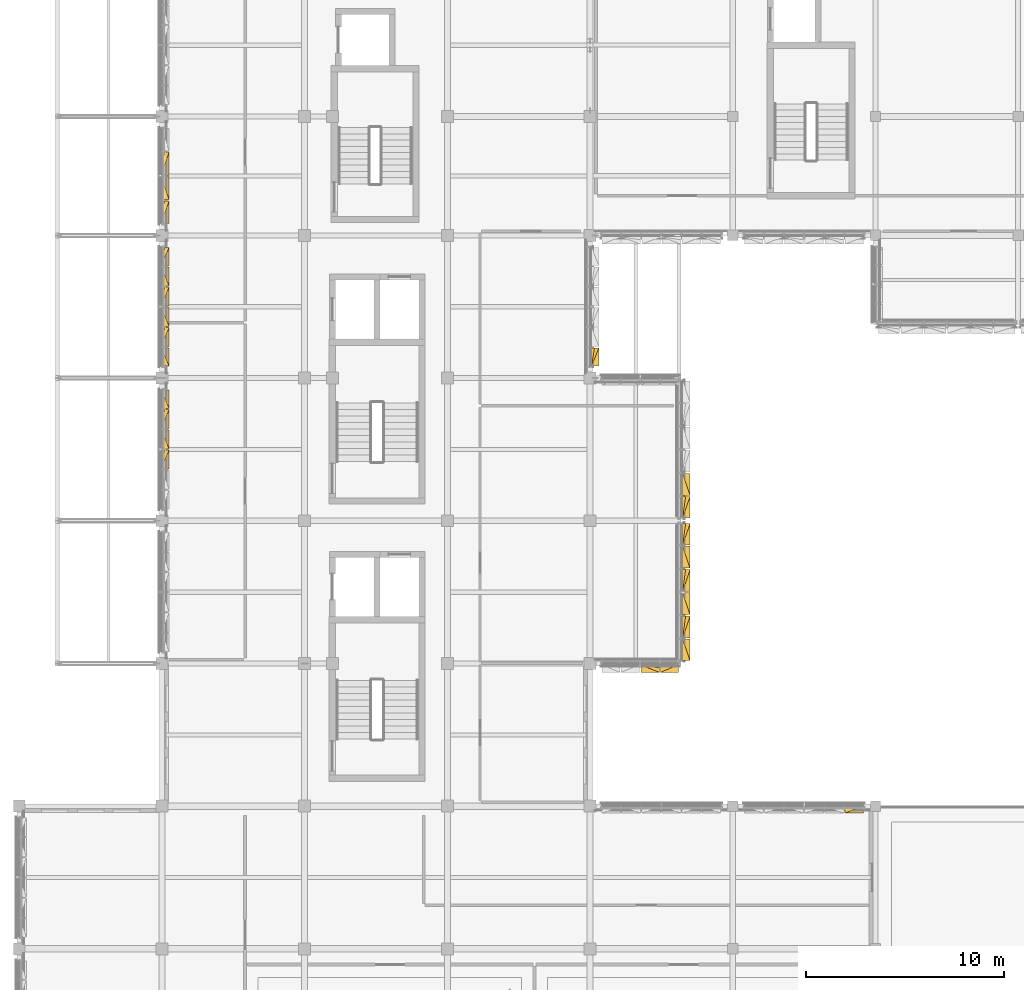
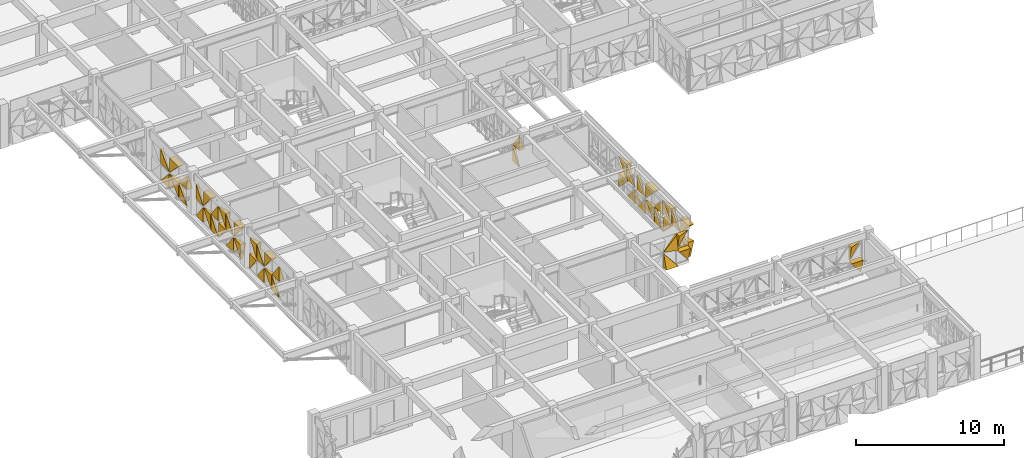
# One storey, part 89 of 99: 50 coverings.
"""IFC4 building model written with IfcOpenShell, lengths in metres."""

from ifc_helpers import new_model, si_unit, direction, frame, origin, place, context, subcontext, project, spatial, polygons, material, layer, layer_set, type_object, element, save


model = new_model("IFC4")

# Units and contexts
model_context = context("Model", 3, precision=1e-05, world=origin(), true_north=direction((0.0, 1.0)))
body_context = subcontext(model_context, "Body", "Model", "MODEL_VIEW")
ifc_project = project(units=[si_unit("LENGTHUNIT", "METRE"), si_unit("AREAUNIT", "SQUARE_METRE"), si_unit("VOLUMEUNIT", "CUBIC_METRE"), si_unit("PLANEANGLEUNIT", "RADIAN"), si_unit("MASSUNIT", "GRAM", prefix="KILO")], contexts=[model_context])

# Site, building, storey
site_placement = place(None, origin())
site = spatial("IfcSite", under=ifc_project, at=site_placement, CompositionType="ELEMENT")
building_placement = place(site_placement, origin())
building = spatial("IfcBuilding", under=site, at=building_placement, Name="Alvorim Cloister Faculty of Sciences", CompositionType="ELEMENT")
storey_placement = place(building_placement, frame((0.0, 0.0, 12.14990234375)))
storey = spatial("IfcBuildingStorey", under=building, at=storey_placement, Name="L03", CompositionType="ELEMENT", Elevation=12.14990234375)

# Coverings
ifc_material = material(Name="Perforated Bronze Alloy Sheet", Category="metal")
ifc_layer = layer(ifc_material, 0.0380859375)
ifc_layer_set = layer_set([ifc_layer], Name="Perforated Bronze Alloy Sheet")
covering_type = type_object("IfcCoveringType", Name="COV-TRI-BRZ", PredefinedType="CLADDING", material=ifc_layer_set)
covering_1_placement = place(storey_placement, frame((7.155029296875, 31.41259765625, 0.14013671875), z_axis=(0.0, 0.0, 1.0), x_axis=(0.0, 1.0, 0.0)))
element("IfcCovering", 1, at=covering_1_placement, inside=storey, type_object=covering_type, Name="Diagonal Solid Metal Triangle TRI-BR", PredefinedType="CLADDING", context=body_context, shape_type="Tessellation", body=[
    polygons([(0.002, 0.0260009765625, 0.0), (0.955078125, 0.0260009765625, 0.0), (0.955078125, 0.0260009765625, 1.21284375), (0.002, -0.03, 0.0), (0.955078125, -0.4, 0.0), (0.955078125, -0.18000000000000002, 1.21284375)], [[[1, 3, 2]], [[4, 5, 6]], [[1, 2, 5, 4]], [[2, 3, 6, 5]], [[3, 1, 4, 6]]], closed=True),
])
covering_2_placement = place(storey_placement, frame((7.155029296875, 31.41259765625, 1.4951171875), z_axis=(0.0, 0.0, 1.0), x_axis=(0.0, 1.0, 0.0)))
element("IfcCovering", 2, at=covering_2_placement, inside=storey, type_object=covering_type, Name="Diagonal Solid Metal Triangle TRI-BL", PredefinedType="CLADDING", context=body_context, shape_type="Tessellation", body=[
    polygons([(0.0, 0.0260009765625, 0.0), (0.953078125, 0.0260009765625, 0.0), (0.0, 0.0260009765625, 1.213087890625), (0.0, -0.4, 0.0), (0.953078125, -0.4, 0.0), (0.0, -0.03, 1.213087890625)], [[[1, 3, 2]], [[4, 5, 6]], [[1, 2, 5, 4]], [[2, 3, 6, 5]], [[3, 1, 4, 6]]], closed=True),
])
covering_3_placement = place(storey_placement, frame((7.155029296875, 32.4326171875, 0.14013671875), z_axis=(0.0, 0.0, 1.0), x_axis=(0.0, 1.0, 0.0)))
element("IfcCovering", 3, at=covering_3_placement, inside=storey, type_object=covering_type, Name="Diagonal Solid Metal Triangle TRI-TL", PredefinedType="CLADDING", context=body_context, shape_type="Tessellation", body=[
    polygons([(0.953078125, 0.0260009765625, 1.21484375), (0.0, 0.0260009765625, 1.21484375), (0.0, 0.0260009765625, 0.002), (0.953078125, -0.03, 1.21484375), (0.0, -0.4, 1.21484375), (0.0, -0.13999999999999999, 0.002)], [[[1, 3, 2]], [[4, 5, 6]], [[1, 2, 5, 4]], [[2, 3, 6, 5]], [[3, 1, 4, 6]]], closed=True),
])
covering_4_placement = place(storey_placement, frame((7.155029296875, 32.4326171875, 1.4951171875), z_axis=(0.0, 0.0, 1.0), x_axis=(0.0, 1.0, 0.0)))
element("IfcCovering", 4, at=covering_4_placement, inside=storey, type_object=covering_type, Name="Diagonal Solid Metal Triangle TRI-TR", PredefinedType="CLADDING", context=body_context, shape_type="Tessellation", body=[
    polygons([(0.955078125, 0.0260009765625, 0.002), (0.955078125, 0.0260009765625, 1.215087890625), (0.002, 0.0260009765625, 1.215087890625), (0.955078125, -0.03, 0.002), (0.955078125, -0.4, 1.215087890625), (0.002, -0.4, 1.215087890625)], [[[1, 3, 2]], [[4, 5, 6]], [[1, 2, 5, 4]], [[2, 3, 6, 5]], [[3, 1, 4, 6]]], closed=True),
])
covering_5_placement = place(storey_placement, frame((7.155029296875, 33.452392578125, 0.14013671875), z_axis=(0.0, 0.0, 1.0), x_axis=(0.0, 1.0, 0.0)))
element("IfcCovering", 5, at=covering_5_placement, inside=storey, type_object=covering_type, Name="Diagonal Solid Metal Triangle TRI-BL", PredefinedType="CLADDING", context=body_context, shape_type="Tessellation", body=[
    polygons([(0.0, 0.0260009765625, 0.0), (0.953078125, 0.0260009765625, 0.0), (0.0, 0.0260009765625, 1.21284375), (0.0, -0.4, 0.0), (0.953078125, -0.4, 0.0), (0.0, -0.03, 1.21284375)], [[[1, 3, 2]], [[4, 5, 6]], [[1, 2, 5, 4]], [[2, 3, 6, 5]], [[3, 1, 4, 6]]], closed=True),
])
covering_6_placement = place(storey_placement, frame((7.155029296875, 33.452392578125, 1.4951171875), z_axis=(0.0, 0.0, 1.0), x_axis=(0.0, 1.0, 0.0)))
element("IfcCovering", 6, at=covering_6_placement, inside=storey, type_object=covering_type, Name="Diagonal Solid Metal Triangle TRI-BR", PredefinedType="CLADDING", context=body_context, shape_type="Tessellation", body=[
    polygons([(0.002, 0.0260009765625, 0.0), (0.955078125, 0.0260009765625, 0.0), (0.955078125, 0.0260009765625, 1.213087890625), (0.002, -0.03, 0.0), (0.955078125, -0.4, 0.0), (0.955078125, -0.18000000000000002, 1.213087890625)], [[[1, 3, 2]], [[4, 5, 6]], [[1, 2, 5, 4]], [[2, 3, 6, 5]], [[3, 1, 4, 6]]], closed=True),
])
covering_7_placement = place(storey_placement, frame((7.155029296875, 34.472412109375, 0.14013671875), z_axis=(0.0, 0.0, 1.0), x_axis=(0.0, 1.0, 0.0)))
element("IfcCovering", 7, at=covering_7_placement, inside=storey, type_object=covering_type, Name="Diagonal Solid Metal Triangle TRI-TR", PredefinedType="CLADDING", context=body_context, shape_type="Tessellation", body=[
    polygons([(0.922607421875, 0.0260009765625, 0.002), (0.922607421875, 0.0260009765625, 1.21484375), (0.002, 0.0260009765625, 1.21484375), (0.922607421875, -0.03, 0.002), (0.922607421875, -0.4, 1.21484375), (0.002, -0.4, 1.21484375)], [[[1, 3, 2]], [[4, 5, 6]], [[1, 2, 5, 4]], [[2, 3, 6, 5]], [[3, 1, 4, 6]]], closed=True),
])
covering_8_placement = place(storey_placement, frame((7.155029296875, 34.472412109375, 1.4951171875), z_axis=(0.0, 0.0, 1.0), x_axis=(0.0, 1.0, 0.0)))
element("IfcCovering", 8, at=covering_8_placement, inside=storey, type_object=covering_type, Name="Diagonal Solid Metal Triangle TRI-TL", PredefinedType="CLADDING", context=body_context, shape_type="Tessellation", body=[
    polygons([(0.920607421875, 0.0260009765625, 1.215087890625), (0.0, 0.0260009765625, 1.215087890625), (0.0, 0.0260009765625, 0.002), (0.920607421875, -0.03, 1.215087890625), (0.0, -0.4, 1.215087890625), (0.0, -0.13999999999999999, 0.002)], [[[1, 3, 2]], [[4, 5, 6]], [[1, 2, 5, 4]], [[2, 3, 6, 5]], [[3, 1, 4, 6]]], closed=True),
])
covering_9_placement = place(storey_placement, frame((7.155029296875, 36.60498046875, 0.14013671875), z_axis=(0.0, 0.0, 1.0), x_axis=(0.0, 1.0, 0.0)))
element("IfcCovering", 9, at=covering_9_placement, inside=storey, type_object=covering_type, Name="Diagonal Solid Metal Triangle TRI-TL", PredefinedType="CLADDING", context=body_context, shape_type="Tessellation", body=[
    polygons([(0.920607421875, 0.0260009765625, 1.21484375), (0.0, 0.0260009765625, 1.21484375), (0.0, 0.0260009765625, 0.002), (0.920607421875, -0.03, 1.21484375), (0.0, -0.4, 1.21484375), (0.0, -0.13999999999999999, 0.002)], [[[1, 3, 2]], [[4, 5, 6]], [[1, 2, 5, 4]], [[2, 3, 6, 5]], [[3, 1, 4, 6]]], closed=True),
])
covering_10_placement = place(storey_placement, frame((7.155029296875, 36.60498046875, 1.4951171875), z_axis=(0.0, 0.0, 1.0), x_axis=(0.0, 1.0, 0.0)))
element("IfcCovering", 10, at=covering_10_placement, inside=storey, type_object=covering_type, Name="Diagonal Solid Metal Triangle TRI-TR", PredefinedType="CLADDING", context=body_context, shape_type="Tessellation", body=[
    polygons([(0.922607421875, 0.0260009765625, 0.002), (0.922607421875, 0.0260009765625, 1.215087890625), (0.002, 0.0260009765625, 1.215087890625), (0.922607421875, -0.03, 0.002), (0.922607421875, -0.4, 1.215087890625), (0.002, -0.4, 1.215087890625)], [[[1, 3, 2]], [[4, 5, 6]], [[1, 2, 5, 4]], [[2, 3, 6, 5]], [[3, 1, 4, 6]]], closed=True),
])
covering_11_placement = place(storey_placement, frame((7.155029296875, 37.592529296875, 0.14013671875), z_axis=(0.0, 0.0, 1.0), x_axis=(0.0, 1.0, 0.0)))
element("IfcCovering", 11, at=covering_11_placement, inside=storey, type_object=covering_type, Name="Diagonal Solid Metal Triangle TRI-BL", PredefinedType="CLADDING", context=body_context, shape_type="Tessellation", body=[
    polygons([(0.0, 0.0260009765625, 0.0), (0.953078125, 0.0260009765625, 0.0), (0.0, 0.0260009765625, 1.21284375), (0.0, -0.4, 0.0), (0.953078125, -0.4, 0.0), (0.0, -0.03, 1.21284375)], [[[1, 3, 2]], [[4, 5, 6]], [[1, 2, 5, 4]], [[2, 3, 6, 5]], [[3, 1, 4, 6]]], closed=True),
])
covering_12_placement = place(storey_placement, frame((7.155029296875, 37.592529296875, 1.4951171875), z_axis=(0.0, 0.0, 1.0), x_axis=(0.0, 1.0, 0.0)))
element("IfcCovering", 12, at=covering_12_placement, inside=storey, type_object=covering_type, Name="Diagonal Solid Metal Triangle TRI-BR", PredefinedType="CLADDING", context=body_context, shape_type="Tessellation", body=[
    polygons([(0.002, 0.0260009765625, 0.0), (0.955078125, 0.0260009765625, 0.0), (0.955078125, 0.0260009765625, 1.213087890625), (0.002, -0.03, 0.0), (0.955078125, -0.4, 0.0), (0.955078125, -0.18000000000000002, 1.213087890625)], [[[1, 3, 2]], [[4, 5, 6]], [[1, 2, 5, 4]], [[2, 3, 6, 5]], [[3, 1, 4, 6]]], closed=True),
])
covering_13_placement = place(storey_placement, frame((7.155029296875, 38.612548828125, 0.14013671875), z_axis=(0.0, 0.0, 1.0), x_axis=(0.0, 1.0, 0.0)))
element("IfcCovering", 13, at=covering_13_placement, inside=storey, type_object=covering_type, Name="Diagonal Solid Metal Triangle TRI-TR", PredefinedType="CLADDING", context=body_context, shape_type="Tessellation", body=[
    polygons([(0.955078125, 0.0260009765625, 0.002), (0.955078125, 0.0260009765625, 1.21484375), (0.002, 0.0260009765625, 1.21484375), (0.955078125, -0.03, 0.002), (0.955078125, -0.4, 1.21484375), (0.002, -0.4, 1.21484375)], [[[1, 3, 2]], [[4, 5, 6]], [[1, 2, 5, 4]], [[2, 3, 6, 5]], [[3, 1, 4, 6]]], closed=True),
])
covering_14_placement = place(storey_placement, frame((7.155029296875, 38.612548828125, 1.4951171875), z_axis=(0.0, 0.0, 1.0), x_axis=(0.0, 1.0, 0.0)))
element("IfcCovering", 14, at=covering_14_placement, inside=storey, type_object=covering_type, Name="Diagonal Solid Metal Triangle TRI-TL", PredefinedType="CLADDING", context=body_context, shape_type="Tessellation", body=[
    polygons([(0.953078125, 0.0260009765625, 1.215087890625), (0.0, 0.0260009765625, 1.215087890625), (0.0, 0.0260009765625, 0.002), (0.953078125, -0.03, 1.215087890625), (0.0, -0.4, 1.215087890625), (0.0, -0.13999999999999999, 0.002)], [[[1, 3, 2]], [[4, 5, 6]], [[1, 2, 5, 4]], [[2, 3, 6, 5]], [[3, 1, 4, 6]]], closed=True),
])
covering_15_placement = place(storey_placement, frame((7.155029296875, 39.632568359375, 0.14013671875), z_axis=(0.0, 0.0, 1.0), x_axis=(0.0, 1.0, 0.0)))
element("IfcCovering", 15, at=covering_15_placement, inside=storey, type_object=covering_type, Name="Diagonal Solid Metal Triangle TRI-BR", PredefinedType="CLADDING", context=body_context, shape_type="Tessellation", body=[
    polygons([(0.002, 0.0260009765625, 0.0), (0.955078125, 0.0260009765625, 0.0), (0.955078125, 0.0260009765625, 1.21284375), (0.002, -0.03, 0.0), (0.955078125, -0.4, 0.0), (0.955078125, -0.18000000000000002, 1.21284375)], [[[1, 3, 2]], [[4, 5, 6]], [[1, 2, 5, 4]], [[2, 3, 6, 5]], [[3, 1, 4, 6]]], closed=True),
])
covering_16_placement = place(storey_placement, frame((7.155029296875, 39.632568359375, 1.4951171875), z_axis=(0.0, 0.0, 1.0), x_axis=(0.0, 1.0, 0.0)))
element("IfcCovering", 16, at=covering_16_placement, inside=storey, type_object=covering_type, Name="Diagonal Solid Metal Triangle TRI-BL", PredefinedType="CLADDING", context=body_context, shape_type="Tessellation", body=[
    polygons([(0.0, 0.0260009765625, 0.0), (0.953078125, 0.0260009765625, 0.0), (0.0, 0.0260009765625, 1.213087890625), (0.0, -0.4, 0.0), (0.953078125, -0.4, 0.0), (0.0, -0.03, 1.213087890625)], [[[1, 3, 2]], [[4, 5, 6]], [[1, 2, 5, 4]], [[2, 3, 6, 5]], [[3, 1, 4, 6]]], closed=True),
])
covering_17_placement = place(storey_placement, frame((7.155029296875, 40.652587890625, 0.14013671875), z_axis=(0.0, 0.0, 1.0), x_axis=(0.0, 1.0, 0.0)))
element("IfcCovering", 17, at=covering_17_placement, inside=storey, type_object=covering_type, Name="Diagonal Solid Metal Triangle TRI-TL", PredefinedType="CLADDING", context=body_context, shape_type="Tessellation", body=[
    polygons([(0.953078125, 0.0260009765625, 1.21484375), (0.0, 0.0260009765625, 1.21484375), (0.0, 0.0260009765625, 0.002), (0.953078125, -0.03, 1.21484375), (0.0, -0.4, 1.21484375), (0.0, -0.13999999999999999, 0.002)], [[[1, 3, 2]], [[4, 5, 6]], [[1, 2, 5, 4]], [[2, 3, 6, 5]], [[3, 1, 4, 6]]], closed=True),
])
covering_18_placement = place(storey_placement, frame((7.155029296875, 40.652587890625, 1.4951171875), z_axis=(0.0, 0.0, 1.0), x_axis=(0.0, 1.0, 0.0)))
element("IfcCovering", 18, at=covering_18_placement, inside=storey, type_object=covering_type, Name="Diagonal Solid Metal Triangle TRI-TR", PredefinedType="CLADDING", context=body_context, shape_type="Tessellation", body=[
    polygons([(0.955078125, 0.0260009765625, 0.002), (0.955078125, 0.0260009765625, 1.215087890625), (0.002, 0.0260009765625, 1.215087890625), (0.955078125, -0.03, 0.002), (0.955078125, -0.4, 1.215087890625), (0.002, -0.4, 1.215087890625)], [[[1, 3, 2]], [[4, 5, 6]], [[1, 2, 5, 4]], [[2, 3, 6, 5]], [[3, 1, 4, 6]]], closed=True),
])
covering_19_placement = place(storey_placement, frame((7.155029296875, 41.672607421875, 0.14013671875), z_axis=(0.0, 0.0, 1.0), x_axis=(0.0, 1.0, 0.0)))
element("IfcCovering", 19, at=covering_19_placement, inside=storey, type_object=covering_type, Name="Diagonal Solid Metal Triangle TRI-BL", PredefinedType="CLADDING", context=body_context, shape_type="Tessellation", body=[
    polygons([(0.0, 0.0260009765625, 0.0), (0.920607421875, 0.0260009765625, 0.0), (0.0, 0.0260009765625, 1.21284375), (0.0, -0.4, 0.0), (0.920607421875, -0.4, 0.0), (0.0, -0.03, 1.21284375)], [[[1, 3, 2]], [[4, 5, 6]], [[1, 2, 5, 4]], [[2, 3, 6, 5]], [[3, 1, 4, 6]]], closed=True),
])
covering_20_placement = place(storey_placement, frame((7.155029296875, 41.672607421875, 1.4951171875), z_axis=(0.0, 0.0, 1.0), x_axis=(0.0, 1.0, 0.0)))
element("IfcCovering", 20, at=covering_20_placement, inside=storey, type_object=covering_type, Name="Diagonal Solid Metal Triangle TRI-BR", PredefinedType="CLADDING", context=body_context, shape_type="Tessellation", body=[
    polygons([(0.002, 0.0260009765625, 0.0), (0.922607421875, 0.0260009765625, 0.0), (0.922607421875, 0.0260009765625, 1.213087890625), (0.002, -0.03, 0.0), (0.922607421875, -0.4, 0.0), (0.922607421875, -0.18000000000000002, 1.213087890625)], [[[1, 3, 2]], [[4, 5, 6]], [[1, 2, 5, 4]], [[2, 3, 6, 5]], [[3, 1, 4, 6]]], closed=True),
])
covering_21_placement = place(storey_placement, frame((7.155029296875, 43.804931640625, 0.14013671875), z_axis=(0.0, 0.0, 1.0), x_axis=(0.0, 1.0, 0.0)))
element("IfcCovering", 21, at=covering_21_placement, inside=storey, type_object=covering_type, Name="Diagonal Solid Metal Triangle TRI-BR", PredefinedType="CLADDING", context=body_context, shape_type="Tessellation", body=[
    polygons([(0.002, 0.0260009765625, 0.0), (1.132568359375, 0.0260009765625, 0.0), (1.132568359375, 0.0260009765625, 1.21284375), (0.002, -0.03, 0.0), (1.132568359375, -0.4, 0.0), (1.132568359375, -0.18000000000000002, 1.21284375)], [[[1, 3, 2]], [[4, 5, 6]], [[1, 2, 5, 4]], [[2, 3, 6, 5]], [[3, 1, 4, 6]]], closed=True),
])
covering_22_placement = place(storey_placement, frame((7.155029296875, 43.804931640625, 1.4951171875), z_axis=(0.0, 0.0, 1.0), x_axis=(0.0, 1.0, 0.0)))
element("IfcCovering", 22, at=covering_22_placement, inside=storey, type_object=covering_type, Name="Diagonal Solid Metal Triangle TRI-BL", PredefinedType="CLADDING", context=body_context, shape_type="Tessellation", body=[
    polygons([(0.0, 0.0260009765625, 0.0), (1.130568359375, 0.0260009765625, 0.0), (0.0, 0.0260009765625, 1.213087890625), (0.0, -0.4, 0.0), (1.130568359375, -0.4, 0.0), (0.0, -0.03, 1.213087890625)], [[[1, 3, 2]], [[4, 5, 6]], [[1, 2, 5, 4]], [[2, 3, 6, 5]], [[3, 1, 4, 6]]], closed=True),
])
covering_23_placement = place(storey_placement, frame((7.155029296875, 45.00244140625, 0.14013671875), z_axis=(0.0, 0.0, 1.0), x_axis=(0.0, 1.0, 0.0)))
element("IfcCovering", 23, at=covering_23_placement, inside=storey, type_object=covering_type, Name="Diagonal Solid Metal Triangle TRI-TL", PredefinedType="CLADDING", context=body_context, shape_type="Tessellation", body=[
    polygons([(1.1630390625, 0.0260009765625, 1.21484375), (0.0, 0.0260009765625, 1.21484375), (0.0, 0.0260009765625, 0.002), (1.1630390625, -0.03, 1.21484375), (0.0, -0.4, 1.21484375), (0.0, -0.13999999999999999, 0.002)], [[[1, 3, 2]], [[4, 5, 6]], [[1, 2, 5, 4]], [[2, 3, 6, 5]], [[3, 1, 4, 6]]], closed=True),
])
covering_24_placement = place(storey_placement, frame((7.155029296875, 45.00244140625, 1.4951171875), z_axis=(0.0, 0.0, 1.0), x_axis=(0.0, 1.0, 0.0)))
element("IfcCovering", 24, at=covering_24_placement, inside=storey, type_object=covering_type, Name="Diagonal Solid Metal Triangle TRI-TR", PredefinedType="CLADDING", context=body_context, shape_type="Tessellation", body=[
    polygons([(1.1650390625, 0.0260009765625, 0.002), (1.1650390625, 0.0260009765625, 1.215087890625), (0.002, 0.0260009765625, 1.215087890625), (1.1650390625, -0.03, 0.002), (1.1650390625, -0.4, 1.215087890625), (0.002, -0.4, 1.215087890625)], [[[1, 3, 2]], [[4, 5, 6]], [[1, 2, 5, 4]], [[2, 3, 6, 5]], [[3, 1, 4, 6]]], closed=True),
])
covering_25_placement = place(storey_placement, frame((7.155029296875, 46.232421875, 0.14013671875), z_axis=(0.0, 0.0, 1.0), x_axis=(0.0, 1.0, 0.0)))
element("IfcCovering", 25, at=covering_25_placement, inside=storey, type_object=covering_type, Name="Diagonal Solid Metal Triangle TRI-BL", PredefinedType="CLADDING", context=body_context, shape_type="Tessellation", body=[
    polygons([(0.0, 0.0260009765625, 0.0), (1.1630390625, 0.0260009765625, 0.0), (0.0, 0.0260009765625, 1.21284375), (0.0, -0.4, 0.0), (1.1630390625, -0.4, 0.0), (0.0, -0.03, 1.21284375)], [[[1, 3, 2]], [[4, 5, 6]], [[1, 2, 5, 4]], [[2, 3, 6, 5]], [[3, 1, 4, 6]]], closed=True),
])
covering_26_placement = place(storey_placement, frame((7.155029296875, 46.232421875, 1.4951171875), z_axis=(0.0, 0.0, 1.0), x_axis=(0.0, 1.0, 0.0)))
element("IfcCovering", 26, at=covering_26_placement, inside=storey, type_object=covering_type, Name="Diagonal Solid Metal Triangle TRI-BR", PredefinedType="CLADDING", context=body_context, shape_type="Tessellation", body=[
    polygons([(0.002, 0.0260009765625, 0.0), (1.1650390625, 0.0260009765625, 0.0), (1.1650390625, 0.0260009765625, 1.213087890625), (0.002, -0.03, 0.0), (1.1650390625, -0.4, 0.0), (1.1650390625, -0.18000000000000002, 1.213087890625)], [[[1, 3, 2]], [[4, 5, 6]], [[1, 2, 5, 4]], [[2, 3, 6, 5]], [[3, 1, 4, 6]]], closed=True),
])
covering_27_placement = place(storey_placement, frame((28.844970703125, 36.60498046875, 0.14013671875), z_axis=(0.0, 0.0, 1.0), x_axis=(0.0, 1.0, 0.0)))
element("IfcCovering", 27, at=covering_27_placement, inside=storey, type_object=covering_type, Name="Diagonal Solid Metal Triangle TRI-BR", PredefinedType="CLADDING", context=body_context, shape_type="Tessellation", body=[
    polygons([(0.002, 0.0260009765625, 0.0), (0.922607421875, 0.0260009765625, 0.0), (0.922607421875, 0.0260009765625, 1.21284375), (0.002, -0.03, 0.0), (0.922607421875, -0.4, 0.0), (0.922607421875, -0.18000000000000002, 1.21284375)], [[[1, 3, 2]], [[4, 5, 6]], [[1, 2, 5, 4]], [[2, 3, 6, 5]], [[3, 1, 4, 6]]], closed=True),
])
covering_28_placement = place(storey_placement, frame((28.844970703125, 36.60498046875, 1.4951171875), z_axis=(0.0, 0.0, 1.0), x_axis=(0.0, 1.0, 0.0)))
element("IfcCovering", 28, at=covering_28_placement, inside=storey, type_object=covering_type, Name="Diagonal Solid Metal Triangle TRI-BL", PredefinedType="CLADDING", context=body_context, shape_type="Tessellation", body=[
    polygons([(0.0, 0.0260009765625, 0.0), (0.920607421875, 0.0260009765625, 0.0), (0.0, 0.0260009765625, 1.213087890625), (0.0, -0.4, 0.0), (0.920607421875, -0.4, 0.0), (0.0, -0.03, 1.213087890625)], [[[1, 3, 2]], [[4, 5, 6]], [[1, 2, 5, 4]], [[2, 3, 6, 5]], [[3, 1, 4, 6]]], closed=True),
])
covering_29_placement = place(storey_placement, frame((33.445068359375, 28.945068359375, 0.14013671875), z_axis=(0.0, 0.0, 1.0), x_axis=(0.0, 1.0, 0.0)))
element("IfcCovering", 29, at=covering_29_placement, inside=storey, type_object=covering_type, Name="Diagonal Solid Metal Triangle TRI-BL", PredefinedType="CLADDING", context=body_context, shape_type="Tessellation", body=[
    polygons([(0.0, 0.0260009765625, 0.0), (1.073927734375, 0.0260009765625, 0.0), (0.0, 0.0260009765625, 1.216505859375), (0.0, -0.4, 0.0), (1.073927734375, -0.4, 0.0), (0.0, -0.03, 1.216505859375)], [[[1, 3, 2]], [[4, 5, 6]], [[1, 2, 5, 4]], [[2, 3, 6, 5]], [[3, 1, 4, 6]]], closed=True),
])
covering_30_placement = place(storey_placement, frame((33.445068359375, 28.945068359375, 1.49853515625), z_axis=(0.0, 0.0, 1.0), x_axis=(0.0, 1.0, 0.0)))
element("IfcCovering", 30, at=covering_30_placement, inside=storey, type_object=covering_type, Name="Diagonal Solid Metal Triangle TRI-BR", PredefinedType="CLADDING", context=body_context, shape_type="Tessellation", body=[
    polygons([(0.002, 0.0260009765625, 0.0), (1.075927734375, 0.0260009765625, 0.0), (1.075927734375, 0.0260009765625, 1.216505859375), (0.002, -0.03, 0.0), (1.075927734375, -0.4, 0.0), (1.075927734375, -0.18000000000000002, 1.216505859375)], [[[1, 3, 2]], [[4, 5, 6]], [[1, 2, 5, 4]], [[2, 3, 6, 5]], [[3, 1, 4, 6]]], closed=True),
])
covering_31_placement = place(storey_placement, frame((33.445068359375, 30.0859375, 0.14013671875), z_axis=(0.0, 0.0, 1.0), x_axis=(0.0, 1.0, 0.0)))
element("IfcCovering", 31, at=covering_31_placement, inside=storey, type_object=covering_type, Name="Diagonal Solid Metal Triangle TRI-TR", PredefinedType="CLADDING", context=body_context, shape_type="Tessellation", body=[
    polygons([(1.1083984375, 0.0260009765625, 0.002), (1.1083984375, 0.0260009765625, 1.218505859375), (0.002, 0.0260009765625, 1.218505859375), (1.1083984375, -0.03, 0.002), (1.1083984375, -0.4, 1.218505859375), (0.002, -0.4, 1.218505859375)], [[[1, 3, 2]], [[4, 5, 6]], [[1, 2, 5, 4]], [[2, 3, 6, 5]], [[3, 1, 4, 6]]], closed=True),
])
covering_32_placement = place(storey_placement, frame((33.445068359375, 30.0859375, 1.49853515625), z_axis=(0.0, 0.0, 1.0), x_axis=(0.0, 1.0, 0.0)))
element("IfcCovering", 32, at=covering_32_placement, inside=storey, type_object=covering_type, Name="Diagonal Solid Metal Triangle TRI-TL", PredefinedType="CLADDING", context=body_context, shape_type="Tessellation", body=[
    polygons([(1.1063984375, 0.0260009765625, 1.218505859375), (0.0, 0.0260009765625, 1.218505859375), (0.0, 0.0260009765625, 0.002), (1.1063984375, -0.03, 1.218505859375), (0.0, -0.4, 1.218505859375), (0.0, -0.13999999999999999, 0.002)], [[[1, 3, 2]], [[4, 5, 6]], [[1, 2, 5, 4]], [[2, 3, 6, 5]], [[3, 1, 4, 6]]], closed=True),
])
covering_33_placement = place(storey_placement, frame((33.445068359375, 21.7451171875, 0.14013671875), z_axis=(0.0, 0.0, 1.0), x_axis=(0.0, 1.0, 0.0)))
element("IfcCovering", 33, at=covering_33_placement, inside=storey, type_object=covering_type, Name="Diagonal Solid Metal Triangle TRI-TL", PredefinedType="CLADDING", context=body_context, shape_type="Tessellation", body=[
    polygons([(1.073927734375, 0.0260009765625, 1.218505859375), (0.0, 0.0260009765625, 1.218505859375), (0.0, 0.0260009765625, 0.002), (1.073927734375, -0.03, 1.218505859375), (0.0, -0.4, 1.218505859375), (0.0, -0.13999999999999999, 0.002)], [[[1, 3, 2]], [[4, 5, 6]], [[1, 2, 5, 4]], [[2, 3, 6, 5]], [[3, 1, 4, 6]]], closed=True),
])
covering_34_placement = place(storey_placement, frame((33.445068359375, 21.7451171875, 1.49853515625), z_axis=(0.0, 0.0, 1.0), x_axis=(0.0, 1.0, 0.0)))
element("IfcCovering", 34, at=covering_34_placement, inside=storey, type_object=covering_type, Name="Diagonal Solid Metal Triangle TRI-TR", PredefinedType="CLADDING", context=body_context, shape_type="Tessellation", body=[
    polygons([(1.075927734375, 0.0260009765625, 0.002), (1.075927734375, 0.0260009765625, 1.218505859375), (0.002, 0.0260009765625, 1.218505859375), (1.075927734375, -0.03, 0.002), (1.075927734375, -0.4, 1.218505859375), (0.002, -0.4, 1.218505859375)], [[[1, 3, 2]], [[4, 5, 6]], [[1, 2, 5, 4]], [[2, 3, 6, 5]], [[3, 1, 4, 6]]], closed=True),
])
covering_35_placement = place(storey_placement, frame((33.445068359375, 22.8857421875, 0.14013671875), z_axis=(0.0, 0.0, 1.0), x_axis=(0.0, 1.0, 0.0)))
element("IfcCovering", 35, at=covering_35_placement, inside=storey, type_object=covering_type, Name="Diagonal Solid Metal Triangle TRI-BL", PredefinedType="CLADDING", context=body_context, shape_type="Tessellation", body=[
    polygons([(0.0, 0.0260009765625, 0.0), (1.1063984375, 0.0260009765625, 0.0), (0.0, 0.0260009765625, 1.216505859375), (0.0, -0.4, 0.0), (1.1063984375, -0.4, 0.0), (0.0, -0.03, 1.216505859375)], [[[1, 3, 2]], [[4, 5, 6]], [[1, 2, 5, 4]], [[2, 3, 6, 5]], [[3, 1, 4, 6]]], closed=True),
])
covering_36_placement = place(storey_placement, frame((33.445068359375, 22.8857421875, 1.49853515625), z_axis=(0.0, 0.0, 1.0), x_axis=(0.0, 1.0, 0.0)))
element("IfcCovering", 36, at=covering_36_placement, inside=storey, type_object=covering_type, Name="Diagonal Solid Metal Triangle TRI-BR", PredefinedType="CLADDING", context=body_context, shape_type="Tessellation", body=[
    polygons([(0.002, 0.0260009765625, 0.0), (1.1083984375, 0.0260009765625, 0.0), (1.1083984375, 0.0260009765625, 1.216505859375), (0.002, -0.03, 0.0), (1.1083984375, -0.4, 0.0), (1.1083984375, -0.18000000000000002, 1.216505859375)], [[[1, 3, 2]], [[4, 5, 6]], [[1, 2, 5, 4]], [[2, 3, 6, 5]], [[3, 1, 4, 6]]], closed=True),
])
covering_37_placement = place(storey_placement, frame((33.445068359375, 24.05908203125, 0.14013671875), z_axis=(0.0, 0.0, 1.0), x_axis=(0.0, 1.0, 0.0)))
element("IfcCovering", 37, at=covering_37_placement, inside=storey, type_object=covering_type, Name="Diagonal Solid Metal Triangle TRI-TR", PredefinedType="CLADDING", context=body_context, shape_type="Tessellation", body=[
    polygons([(1.1083984375, 0.0260009765625, 0.002), (1.1083984375, 0.0260009765625, 1.218505859375), (0.002, 0.0260009765625, 1.218505859375), (1.1083984375, -0.03, 0.002), (1.1083984375, -0.4, 1.218505859375), (0.002, -0.4, 1.218505859375)], [[[1, 3, 2]], [[4, 5, 6]], [[1, 2, 5, 4]], [[2, 3, 6, 5]], [[3, 1, 4, 6]]], closed=True),
])
covering_38_placement = place(storey_placement, frame((33.445068359375, 24.05908203125, 1.49853515625), z_axis=(0.0, 0.0, 1.0), x_axis=(0.0, 1.0, 0.0)))
element("IfcCovering", 38, at=covering_38_placement, inside=storey, type_object=covering_type, Name="Diagonal Solid Metal Triangle TRI-TL", PredefinedType="CLADDING", context=body_context, shape_type="Tessellation", body=[
    polygons([(1.1063984375, 0.0260009765625, 1.218505859375), (0.0, 0.0260009765625, 1.218505859375), (0.0, 0.0260009765625, 0.002), (1.1063984375, -0.03, 1.218505859375), (0.0, -0.4, 1.218505859375), (0.0, -0.13999999999999999, 0.002)], [[[1, 3, 2]], [[4, 5, 6]], [[1, 2, 5, 4]], [[2, 3, 6, 5]], [[3, 1, 4, 6]]], closed=True),
])
covering_39_placement = place(storey_placement, frame((33.445068359375, 25.232421875, 0.14013671875), z_axis=(0.0, 0.0, 1.0), x_axis=(0.0, 1.0, 0.0)))
element("IfcCovering", 39, at=covering_39_placement, inside=storey, type_object=covering_type, Name="Diagonal Solid Metal Triangle TRI-BR", PredefinedType="CLADDING", context=body_context, shape_type="Tessellation", body=[
    polygons([(0.002, 0.0260009765625, 0.0), (1.1083984375, 0.0260009765625, 0.0), (1.1083984375, 0.0260009765625, 1.216505859375), (0.002, -0.03, 0.0), (1.1083984375, -0.4, 0.0), (1.1083984375, -0.18000000000000002, 1.216505859375)], [[[1, 3, 2]], [[4, 5, 6]], [[1, 2, 5, 4]], [[2, 3, 6, 5]], [[3, 1, 4, 6]]], closed=True),
])
covering_40_placement = place(storey_placement, frame((33.445068359375, 25.232421875, 1.49853515625), z_axis=(0.0, 0.0, 1.0), x_axis=(0.0, 1.0, 0.0)))
element("IfcCovering", 40, at=covering_40_placement, inside=storey, type_object=covering_type, Name="Diagonal Solid Metal Triangle TRI-BL", PredefinedType="CLADDING", context=body_context, shape_type="Tessellation", body=[
    polygons([(0.0, 0.0260009765625, 0.0), (1.1063984375, 0.0260009765625, 0.0), (0.0, 0.0260009765625, 1.216505859375), (0.0, -0.4, 0.0), (1.1063984375, -0.4, 0.0), (0.0, -0.03, 1.216505859375)], [[[1, 3, 2]], [[4, 5, 6]], [[1, 2, 5, 4]], [[2, 3, 6, 5]], [[3, 1, 4, 6]]], closed=True),
])
covering_41_placement = place(storey_placement, frame((33.445068359375, 26.40576171875, 0.14013671875), z_axis=(0.0, 0.0, 1.0), x_axis=(0.0, 1.0, 0.0)))
element("IfcCovering", 41, at=covering_41_placement, inside=storey, type_object=covering_type, Name="Diagonal Solid Metal Triangle TRI-TL", PredefinedType="CLADDING", context=body_context, shape_type="Tessellation", body=[
    polygons([(1.1063984375, 0.0260009765625, 1.218505859375), (0.0, 0.0260009765625, 1.218505859375), (0.0, 0.0260009765625, 0.002), (1.1063984375, -0.03, 1.218505859375), (0.0, -0.4, 1.218505859375), (0.0, -0.13999999999999999, 0.002)], [[[1, 3, 2]], [[4, 5, 6]], [[1, 2, 5, 4]], [[2, 3, 6, 5]], [[3, 1, 4, 6]]], closed=True),
])
covering_42_placement = place(storey_placement, frame((33.445068359375, 26.40576171875, 1.49853515625), z_axis=(0.0, 0.0, 1.0), x_axis=(0.0, 1.0, 0.0)))
element("IfcCovering", 42, at=covering_42_placement, inside=storey, type_object=covering_type, Name="Diagonal Solid Metal Triangle TRI-TR", PredefinedType="CLADDING", context=body_context, shape_type="Tessellation", body=[
    polygons([(1.1083984375, 0.0260009765625, 0.002), (1.1083984375, 0.0260009765625, 1.218505859375), (0.002, 0.0260009765625, 1.218505859375), (1.1083984375, -0.03, 0.002), (1.1083984375, -0.4, 1.218505859375), (0.002, -0.4, 1.218505859375)], [[[1, 3, 2]], [[4, 5, 6]], [[1, 2, 5, 4]], [[2, 3, 6, 5]], [[3, 1, 4, 6]]], closed=True),
])
covering_43_placement = place(storey_placement, frame((33.445068359375, 27.5791015625, 0.14013671875), z_axis=(0.0, 0.0, 1.0), x_axis=(0.0, 1.0, 0.0)))
element("IfcCovering", 43, at=covering_43_placement, inside=storey, type_object=covering_type, Name="Diagonal Solid Metal Triangle TRI-BL", PredefinedType="CLADDING", context=body_context, shape_type="Tessellation", body=[
    polygons([(0.0, 0.0260009765625, 0.0), (1.073927734375, 0.0260009765625, 0.0), (0.0, 0.0260009765625, 1.216505859375), (0.0, -0.4, 0.0), (1.073927734375, -0.4, 0.0), (0.0, -0.03, 1.216505859375)], [[[1, 3, 2]], [[4, 5, 6]], [[1, 2, 5, 4]], [[2, 3, 6, 5]], [[3, 1, 4, 6]]], closed=True),
])
covering_44_placement = place(storey_placement, frame((33.445068359375, 27.5791015625, 1.49853515625), z_axis=(0.0, 0.0, 1.0), x_axis=(0.0, 1.0, 0.0)))
element("IfcCovering", 44, at=covering_44_placement, inside=storey, type_object=covering_type, Name="Diagonal Solid Metal Triangle TRI-BR", PredefinedType="CLADDING", context=body_context, shape_type="Tessellation", body=[
    polygons([(0.002, 0.0260009765625, 0.0), (1.075927734375, 0.0260009765625, 0.0), (1.075927734375, 0.0260009765625, 1.216505859375), (0.002, -0.03, 0.0), (1.075927734375, -0.4, 0.0), (1.075927734375, -0.18000000000000002, 1.216505859375)], [[[1, 3, 2]], [[4, 5, 6]], [[1, 2, 5, 4]], [[2, 3, 6, 5]], [[3, 1, 4, 6]]], closed=True),
])
covering_45_placement = place(storey_placement, frame((31.362548828125, 21.554931640625, 0.14013671875), z_axis=(0.0, 0.0, 1.0), x_axis=(1.0, 0.0, 0.0)))
element("IfcCovering", 45, at=covering_45_placement, inside=storey, type_object=covering_type, Name="Diagonal Solid Metal Triangle TRI-BL", PredefinedType="CLADDING", context=body_context, shape_type="Tessellation", body=[
    polygons([(0.0, 0.0260009765625, 0.0), (0.927931640625, 0.0260009765625, 0.0), (0.0, 0.0260009765625, 1.14106640625), (0.0, -0.4, 0.0), (0.927931640625, -0.4, 0.0), (0.0, -0.03, 1.14106640625)], [[[1, 3, 2]], [[4, 5, 6]], [[1, 2, 5, 4]], [[2, 3, 6, 5]], [[3, 1, 4, 6]]], closed=True),
])
covering_46_placement = place(storey_placement, frame((31.362548828125, 21.554931640625, 1.423095703125), z_axis=(0.0, 0.0, 1.0), x_axis=(1.0, 0.0, 0.0)))
element("IfcCovering", 46, at=covering_46_placement, inside=storey, type_object=covering_type, Name="Diagonal Solid Metal Triangle TRI-BR", PredefinedType="CLADDING", context=body_context, shape_type="Tessellation", body=[
    polygons([(0.002, 0.0260009765625, 0.0), (0.929931640625, 0.0260009765625, 0.0), (0.929931640625, 0.0260009765625, 1.14106640625), (0.002, -0.03, 0.0), (0.929931640625, -0.4, 0.0), (0.929931640625, -0.18000000000000002, 1.14106640625)], [[[1, 3, 2]], [[4, 5, 6]], [[1, 2, 5, 4]], [[2, 3, 6, 5]], [[3, 1, 4, 6]]], closed=True),
])
covering_47_placement = place(storey_placement, frame((32.357421875, 21.554931640625, 0.14013671875), z_axis=(0.0, 0.0, 1.0), x_axis=(1.0, 0.0, 0.0)))
element("IfcCovering", 47, at=covering_47_placement, inside=storey, type_object=covering_type, Name="Diagonal Solid Metal Triangle TRI-TR", PredefinedType="CLADDING", context=body_context, shape_type="Tessellation", body=[
    polygons([(0.8974609375, 0.0260009765625, 0.002), (0.8974609375, 0.0260009765625, 1.14306640625), (0.002, 0.0260009765625, 1.14306640625), (0.8974609375, -0.03, 0.002), (0.8974609375, -0.4, 1.14306640625), (0.002, -0.4, 1.14306640625)], [[[1, 3, 2]], [[4, 5, 6]], [[1, 2, 5, 4]], [[2, 3, 6, 5]], [[3, 1, 4, 6]]], closed=True),
])
covering_48_placement = place(storey_placement, frame((32.357421875, 21.554931640625, 1.423095703125), z_axis=(0.0, 0.0, 1.0), x_axis=(1.0, 0.0, 0.0)))
element("IfcCovering", 48, at=covering_48_placement, inside=storey, type_object=covering_type, Name="Diagonal Solid Metal Triangle TRI-TL", PredefinedType="CLADDING", context=body_context, shape_type="Tessellation", body=[
    polygons([(0.8954609375, 0.0260009765625, 1.14306640625), (0.0, 0.0260009765625, 1.14306640625), (0.0, 0.0260009765625, 0.002), (0.8954609375, -0.03, 1.14306640625), (0.0, -0.4, 1.14306640625), (0.0, -0.13999999999999999, 0.002)], [[[1, 3, 2]], [[4, 5, 6]], [[1, 2, 5, 4]], [[2, 3, 6, 5]], [[3, 1, 4, 6]]], closed=True),
])
covering_49_placement = place(storey_placement, frame((41.672607421875, 14.445068359375, 0.14013671875), z_axis=(0.0, 0.0, 1.0), x_axis=(1.0, 0.0, 0.0)))
element("IfcCovering", 49, at=covering_49_placement, inside=storey, type_object=covering_type, Name="Diagonal Solid Metal Triangle TRI-TR", PredefinedType="CLADDING", context=body_context, shape_type="Tessellation", body=[
    polygons([(0.922607421875, 0.0260009765625, 0.002), (0.922607421875, 0.0260009765625, 1.21484375), (0.002, 0.0260009765625, 1.21484375), (0.922607421875, -0.03, 0.002), (0.922607421875, -0.4, 1.21484375), (0.002, -0.4, 1.21484375)], [[[1, 3, 2]], [[4, 5, 6]], [[1, 2, 5, 4]], [[2, 3, 6, 5]], [[3, 1, 4, 6]]], closed=True),
])
covering_50_placement = place(storey_placement, frame((41.672607421875, 14.445068359375, 1.4951171875), z_axis=(0.0, 0.0, 1.0), x_axis=(1.0, 0.0, 0.0)))
element("IfcCovering", 50, at=covering_50_placement, inside=storey, type_object=covering_type, Name="Diagonal Solid Metal Triangle TRI-TL", PredefinedType="CLADDING", context=body_context, shape_type="Tessellation", body=[
    polygons([(0.920607421875, 0.0260009765625, 1.215087890625), (0.0, 0.0260009765625, 1.215087890625), (0.0, 0.0260009765625, 0.002), (0.920607421875, -0.03, 1.215087890625), (0.0, -0.4, 1.215087890625), (0.0, -0.13999999999999999, 0.002)], [[[1, 3, 2]], [[4, 5, 6]], [[1, 2, 5, 4]], [[2, 3, 6, 5]], [[3, 1, 4, 6]]], closed=True),
])

save(model, "model.ifc")
